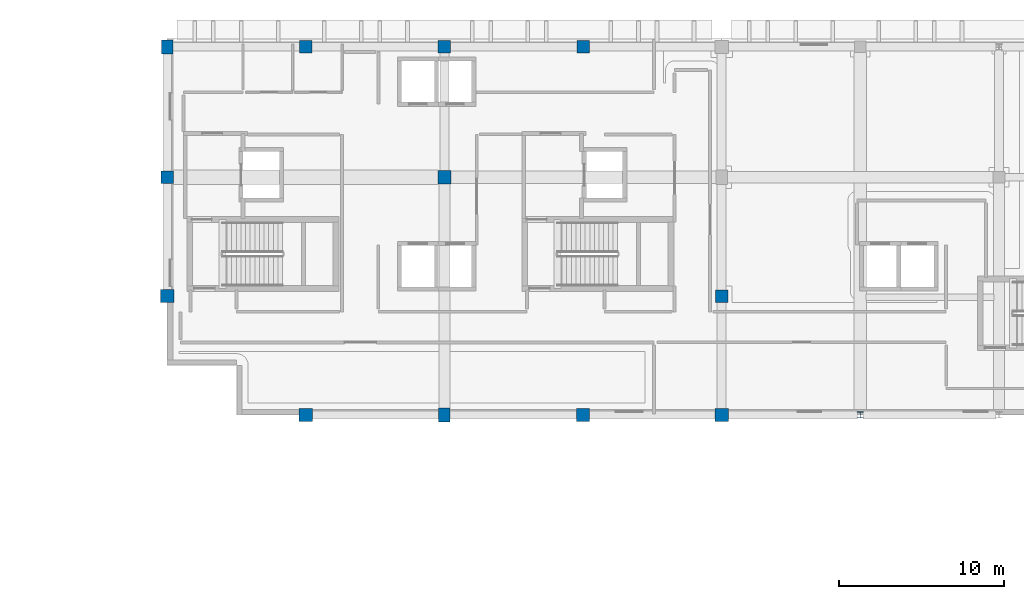
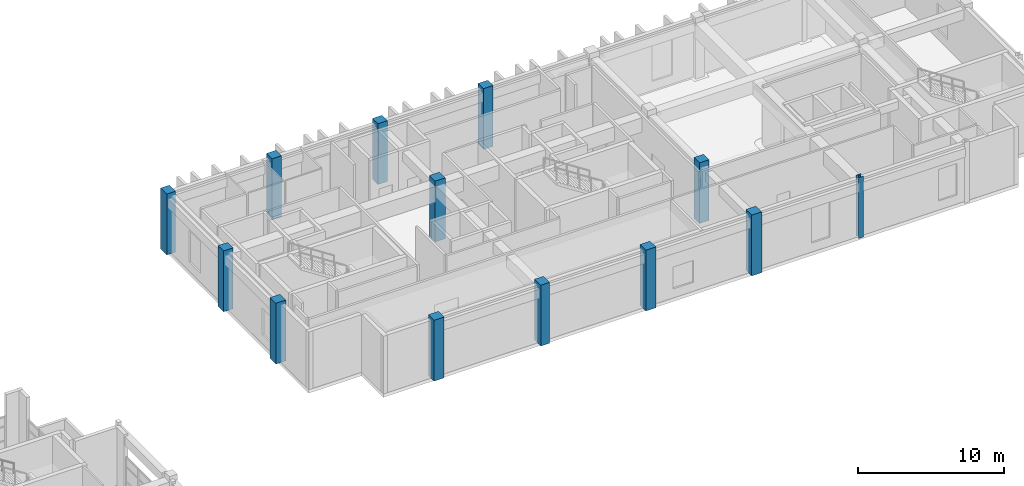
# One storey, part 5 of 78: 13 columns.
"""IFC4 building model written with IfcOpenShell, lengths in metres."""

from ifc_helpers import new_model, si_unit, direction, frame, origin, origin_2d, place, context, subcontext, project, spatial, rectangle, i_section, extrude, material, material_profile, profile_set, type_object, element, save


model = new_model("IFC4")

# Units and contexts
model_context = context("Model", 3, precision=1e-05, world=origin(), true_north=direction((0.0, 1.0)))
body_context = subcontext(model_context, "Body", "Model", "MODEL_VIEW")
ifc_project = project(units=[si_unit("LENGTHUNIT", "METRE"), si_unit("AREAUNIT", "SQUARE_METRE"), si_unit("VOLUMEUNIT", "CUBIC_METRE"), si_unit("PLANEANGLEUNIT", "RADIAN"), si_unit("MASSUNIT", "GRAM", prefix="KILO")], contexts=[model_context])

# Site, building, storey
site_placement = place(None, origin())
site = spatial("IfcSite", under=ifc_project, at=site_placement, CompositionType="ELEMENT")
building_placement = place(site_placement, origin())
building = spatial("IfcBuilding", under=site, at=building_placement, Name="Quendrovan Civic Courthouse", CompositionType="ELEMENT")
storey_placement = place(building_placement, frame((0.0, 0.0, 20.39990234375)))
storey = spatial("IfcBuildingStorey", under=building, at=storey_placement, Name="L05", CompositionType="ELEMENT", Elevation=20.39990234375)

# Columns
ifc_material_1 = material(Name="Concrete C40/50", Category="concrete")
ifc_material_profile_1 = material_profile(ifc_material_1, rectangle(XDim=0.699951171875, YDim=0.85009765625, at=origin_2d()), Name="RC-COL-700x850")
ifc_profile_set_1 = profile_set([ifc_material_profile_1], Name="Concrete C40/50")
column_type_1 = type_object("IfcColumnType", Name="COL-RC-700x850", PredefinedType="COLUMN", material=ifc_profile_set_1)
for number, where, z_axis, x_axis, name in (
    (1, (33.60009765625, 109.89990234375, 0.0), (0.0, 0.0, 1.0), (1.0, 0.0, 0.0), "L05 Column 5-Q"),
    (2, (50.39990234375, 87.60009765625, 0.0), (0.0, 0.0, 1.0), (1.0, 0.0, 0.0), "L05 Column 7-M"),
):
    element("IfcColumn", number, at=place(storey_placement, frame(where, z_axis=z_axis, x_axis=x_axis)), inside=storey, type_object=column_type_1, Name=name, PredefinedType="COLUMN", context=body_context, shape_type="SweptSolid", body=[
        extrude(rectangle(XDim=0.699951171875, YDim=0.85009765625, at=origin_2d()), origin(), (0.0, 0.0, 1.0), 5.10009765625),
    ])
ifc_material_2 = material(Name="Concrete C45/55", Category="concrete")
ifc_material_profile_2 = material_profile(ifc_material_2, rectangle(XDim=0.75, YDim=0.75, at=origin_2d()), Name="RC-COL-750x750")
ifc_profile_set_2 = profile_set([ifc_material_profile_2], Name="Concrete C45/55")
column_type_2 = type_object("IfcColumnType", Name="COL-RC750", PredefinedType="COLUMN", material=ifc_profile_set_2)
for number, where, z_axis, x_axis, name in (
    (3, (33.60009765625, 102.0, 0.0), (0.0, 0.0, 1.0), (1.0, 0.0, 0.0), "L05 Column 5-P"),
    (4, (42.0, 109.89990234375, 0.0), (0.0, 0.0, 1.0), (1.0, 0.0, 0.0), "L05 Column 6-Q"),
    (5, (50.39990234375, 109.89990234375, 0.0), (0.0, 0.0, 1.0), (1.0, 0.0, 0.0), "L05 Column 7-Q"),
    (6, (58.800048828125, 109.89990234375, 0.0), (0.0, 0.0, 1.0), (1.0, 0.0, 0.0), "L05 Column 8-Q"),
    (7, (67.199951171875, 94.800048828125, 0.0), (0.0, 0.0, 1.0), (1.0, 0.0, 0.0), "L05 Column 9-N"),
):
    element("IfcColumn", number, at=place(storey_placement, frame(where, z_axis=z_axis, x_axis=x_axis)), inside=storey, type_object=column_type_2, Name=name, PredefinedType="COLUMN", context=body_context, shape_type="SweptSolid", body=[
        extrude(rectangle(XDim=0.75, YDim=0.75, at=origin_2d()), origin(), (0.0, 0.0, 1.0), 5.10009765625),
    ])
ifc_material_profile_3 = material_profile(ifc_material_2, rectangle(XDim=0.800048828125, YDim=0.800048828125, at=origin_2d()), Name="RC-COL-800x800")
ifc_profile_set_3 = profile_set([ifc_material_profile_3], Name="Concrete C45/55")
column_type_3 = type_object("IfcColumnType", Name="COL-RC800", PredefinedType="COLUMN", material=ifc_profile_set_3)
for number, where, z_axis, x_axis, name in (
    (8, (33.60009765625, 94.800048828125, 0.0), (0.0, 0.0, 1.0), (1.0, 0.0, 0.0), "L05 Column 5-N"),
    (9, (42.0, 87.60009765625, 0.0), (0.0, 0.0, 1.0), (1.0, 0.0, 0.0), "L05 Column 6-M"),
    (10, (50.39990234375, 102.0, 0.0), (0.0, 0.0, 1.0), (1.0, 0.0, 0.0), "L05 Column 7-P"),
    (11, (58.800048828125, 87.60009765625, 0.0), (0.0, 0.0, 1.0), (1.0, 0.0, 0.0), "L05 Column 8-M"),
    (12, (67.199951171875, 87.60009765625, 0.0), (0.0, 0.0, 1.0), (1.0, 0.0, 0.0), "L05 Column 9-M"),
):
    element("IfcColumn", number, at=place(storey_placement, frame(where, z_axis=z_axis, x_axis=x_axis)), inside=storey, type_object=column_type_3, Name=name, PredefinedType="COLUMN", context=body_context, shape_type="SweptSolid", body=[
        extrude(rectangle(XDim=0.800048828125, YDim=0.800048828125, at=origin_2d()), origin(), (0.0, 0.0, 1.0), 5.10009765625),
    ])
ifc_material_3 = material(Name="Steel ASTM A992 Grade 50", Category="steel")
ifc_material_profile_4 = material_profile(ifc_material_3, i_section(OverallWidth=0.3740234375, OverallDepth=0.3720703125, WebThickness=0.016357421875, FlangeThickness=0.026123046875, at=origin_2d()), Name="W14X132")
ifc_profile_set_4 = profile_set([ifc_material_profile_4], Name="Steel ASTM A992 Grade 50")
column_type_4 = type_object("IfcColumnType", Name="COL-STL-W14X132", PredefinedType="COLUMN", material=ifc_profile_set_4)
column_placement = place(storey_placement, frame((75.60009765625, 87.60009765625, 0.0), z_axis=(0.0, 0.0, 1.0), x_axis=(1.0, 0.0, 0.0)))
element("IfcColumn", 13, at=column_placement, inside=storey, type_object=column_type_4, Name="L05 Column 10-M", PredefinedType="COLUMN", context=body_context, shape_type="SweptSolid", body=[
    extrude(i_section(OverallWidth=0.3740234375, OverallDepth=0.3720703125, WebThickness=0.016357421875, FlangeThickness=0.026123046875, at=origin_2d()), origin(), (0.0, 0.0, 1.0), 5.10009765625),
])

save(model, "model.ifc")
